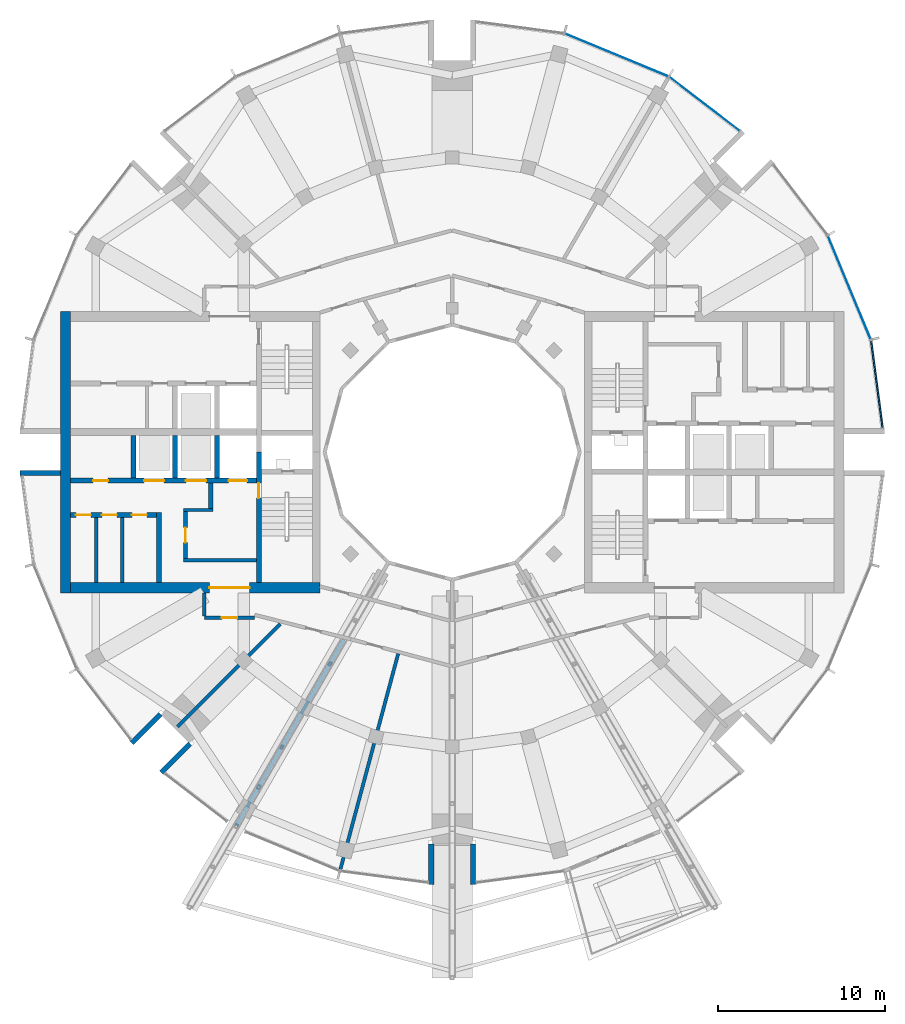
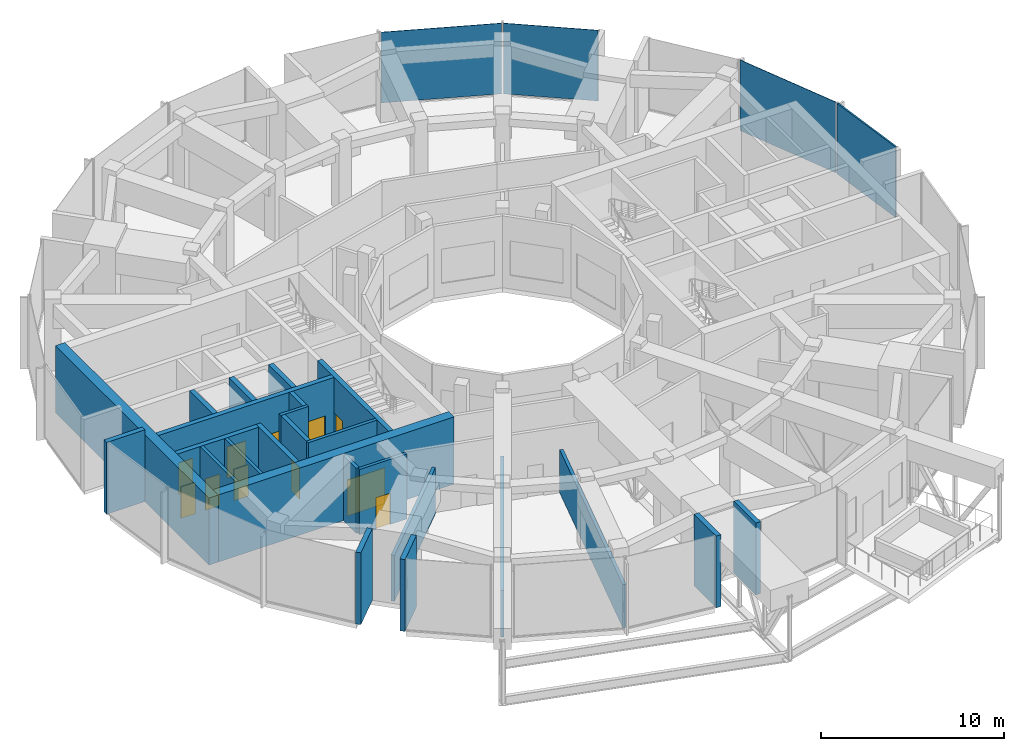
# One storey, part 10 of 17: 25 walls, 11 doors, 4 plates, 11 openings, 4 elements without a shape of their own.
"""IFC4 building model written with IfcOpenShell, lengths in metres."""

from ifc_helpers import new_model, si_unit, direction, frame, frame_2d, origin, origin_2d, place, context, subcontext, project, spatial, rectangle, extrude, material, layer, layer_set, type_object, element, fill, aggregate, save


model = new_model("IFC4")

# Units and contexts
model_context = context("Model", 3, precision=1e-05, world=origin(), true_north=direction((0.0, 1.0)))
body_context = subcontext(model_context, "Body", "Model", "MODEL_VIEW")
ifc_project = project(units=[si_unit("LENGTHUNIT", "METRE"), si_unit("AREAUNIT", "SQUARE_METRE"), si_unit("VOLUMEUNIT", "CUBIC_METRE"), si_unit("PLANEANGLEUNIT", "RADIAN"), si_unit("MASSUNIT", "GRAM", prefix="KILO")], contexts=[model_context])

# Site, building, storey
site_placement = place(None, origin())
site = spatial("IfcSite", under=ifc_project, at=site_placement, CompositionType="ELEMENT")
building_placement = place(site_placement, origin())
building = spatial("IfcBuilding", under=site, at=building_placement, Name="Torre Brocal", CompositionType="ELEMENT")
storey_placement = place(building_placement, frame((0.0, 0.0, 270.89990234375)))
storey = spatial("IfcBuildingStorey", under=building, at=storey_placement, Name="L62", CompositionType="ELEMENT", Elevation=270.89990234375)

# Curtain wall, plate
ifc_material_1 = material(Name="Aluminium and glass", Category="aluminium")
ifc_layer_1 = layer(ifc_material_1, 0.199951171875)
ifc_layer_set_1 = layer_set([ifc_layer_1], Name="Aluminium and glass")
curtain_wall_type_1 = type_object("IfcCurtainWallType", Name="CW-1 CURTAIN WALL 4800 HIGH", PredefinedType="NOTDEFINED", material=ifc_layer_set_1)
curtain_wall_1_placement = place(storey_placement, origin())
curtain_wall_1 = element("IfcCurtainWall", 1, at=curtain_wall_1_placement, inside=storey, type_object=curtain_wall_type_1, Name="CW-1 RUN 2", PredefinedType="NOTDEFINED")
ifc_material_2 = material(Name="Glass, dark tinted laminated", Category="glass")
ifc_layer_2 = layer(ifc_material_2, 0.031982421875)
ifc_layer_set_2 = layer_set([ifc_layer_2], Name="Glass, dark tinted laminated")
plate_type_1 = type_object("IfcPlateType", Name="CW-1 GLASS PANEL 32", PredefinedType="CURTAIN_PANEL", material=ifc_layer_set_2)
plate_1_placement = place(storey_placement, frame((103.722900390625, 84.826416015625, 0.080078125), z_axis=(0.0, 0.0, 1.0), x_axis=(-0.382683432333, 0.923879532525, 0.0)))
plate_1 = element("IfcPlate", 2, at=plate_1_placement, type_object=plate_type_1, Name="CW1-7 panel 1.1", PredefinedType="CURTAIN_PANEL", context=body_context, shape_type="SweptSolid", body=[
    extrude(rectangle(XDim=6.64111328125, YDim=0.031982421875, at=origin_2d()), origin(), (0.0, 0.0, 1.0), 4.719970703125),
])
aggregate(curtain_wall_1, [plate_1])

curtain_wall_2_placement = place(storey_placement, origin())
curtain_wall_2 = element("IfcCurtainWall", 3, at=curtain_wall_2_placement, inside=storey, type_object=curtain_wall_type_1, Name="CW-1 RUN 4", PredefinedType="NOTDEFINED")
plate_2_placement = place(storey_placement, frame((95.0712890625, 95.80126953125, 0.080078125), z_axis=(0.0, 0.0, 1.0), x_axis=(-0.793353340259, 0.60876142905, 0.0)))
plate_2 = element("IfcPlate", 4, at=plate_2_placement, type_object=plate_type_1, Name="CW1-7 panel 1.1", PredefinedType="CURTAIN_PANEL", context=body_context, shape_type="SweptSolid", body=[
    extrude(rectangle(XDim=5.22900390625, YDim=0.031982421875, at=origin_2d()), origin(), (0.0, 0.0, 1.0), 4.719970703125),
])
aggregate(curtain_wall_2, [plate_2])

curtain_wall_3_placement = place(storey_placement, origin())
curtain_wall_3 = element("IfcCurtainWall", 5, at=curtain_wall_3_placement, inside=storey, type_object=curtain_wall_type_1, Name="CW-1 RUN 5", PredefinedType="NOTDEFINED")
plate_3_placement = place(storey_placement, frame((89.826416015625, 98.722900390625, 0.080078125), z_axis=(0.0, 0.0, 1.0), x_axis=(-0.923879532525, 0.382683432333, 0.0)))
plate_3 = element("IfcPlate", 6, at=plate_3_placement, type_object=plate_type_1, Name="CW1-7 panel 1.1", PredefinedType="CURTAIN_PANEL", context=body_context, shape_type="SweptSolid", body=[
    extrude(rectangle(XDim=6.64111328125, YDim=0.031982421875, at=origin_2d()), origin(), (0.0, 0.0, 1.0), 4.719970703125),
])
aggregate(curtain_wall_3, [plate_3])

ifc_material_3 = material(Name="Aluminium and glass", Category="aluminium")
ifc_layer_3 = layer(ifc_material_3, 0.199951171875)
ifc_layer_set_3 = layer_set([ifc_layer_3], Name="Aluminium and glass")
curtain_wall_type_2 = type_object("IfcCurtainWallType", Name="CW-1B CURTAIN WALL 4800 HIGH", PredefinedType="NOTDEFINED", material=ifc_layer_set_3)
curtain_wall_4_placement = place(storey_placement, origin())
curtain_wall_4 = element("IfcCurtainWall", 7, at=curtain_wall_4_placement, inside=storey, type_object=curtain_wall_type_2, Name="CW-1B RUN 1", PredefinedType="NOTDEFINED")
ifc_material_4 = material(Name="Aluminium composite panel", Category="aluminium")
ifc_layer_4 = layer(ifc_material_4, 0.10009765625)
ifc_layer_set_4 = layer_set([ifc_layer_4], Name="Aluminium composite panel")
plate_type_2 = type_object("IfcPlateType", Name="CW-1B OPAQUE PANEL 100", PredefinedType="CURTAIN_PANEL", material=ifc_layer_set_4)
plate_4_placement = place(storey_placement, frame((105.36572265625, 79.051513671875, 0.080078125), z_axis=(0.0, 0.0, 1.0), x_axis=(-0.13052619222, 0.991444861374, 0.0)))
plate_4 = element("IfcPlate", 8, at=plate_4_placement, type_object=plate_type_2, Name="CW1B-6 panel 1.1", PredefinedType="CURTAIN_PANEL", context=body_context, shape_type="SweptSolid", body=[
    extrude(rectangle(XDim=5.22900390625, YDim=0.10009765625, at=origin_2d()), origin(), (0.0, 0.0, 1.0), 4.719970703125),
])
aggregate(curtain_wall_4, [plate_4])

# Walls
ifc_material_5 = material(Name="Masonry block", Category="masonry")
ifc_layer_5 = layer(ifc_material_5, 0.199951171875)
ifc_layer_set_5 = layer_set([ifc_layer_5], Name="Masonry block")
wall_type_1 = type_object("IfcWallType", Name="CORE PARTITION 200", PredefinedType="PARTITIONING", material=ifc_layer_set_5)
for number, where, z_axis, x_axis, name in (
    (9, (60.2900390625, 71.10009765625, 0.0), (0.0, 0.0, 1.0), (0.0, -1.0, 0.0), "Wall CP200"),
    (10, (58.7451171875, 71.10009765625, 0.0), (0.0, 0.0, 1.0), (0.0, -1.0, 0.0), "Wall CP200"),
):
    element("IfcWall", number, at=place(storey_placement, frame(where, z_axis=z_axis, x_axis=x_axis)), inside=storey, type_object=wall_type_1, Name=name, PredefinedType="PARTITIONING", context=body_context, shape_type="SweptSolid", body=[
        extrude(rectangle(XDim=3.900146484375, YDim=0.199951171875, at=frame_2d((1.9501953125, 0.0))), origin(), (0.0, 0.0, 1.0), 4.47998046875),
    ])
ifc_material_6 = material(Name="Concrete C60", Category="concrete")
ifc_layer_6 = layer(ifc_material_6, 0.199951171875)
ifc_layer_set_6 = layer_set([ifc_layer_6], Name="Concrete C60")
wall_type_2 = type_object("IfcWallType", Name="CORE WALL 200 C60", PredefinedType="SHEAR", material=ifc_layer_set_6)
wall_1_placement = place(storey_placement, frame((68.300048828125, 68.550048828125, 0.0), z_axis=(0.0, 0.0, 1.0), x_axis=(-1.0, 0.0, 0.0)))
element("IfcWall", 11, at=wall_1_placement, inside=storey, type_object=wall_type_2, Name="Wall CW200-60", PredefinedType="SHEAR", context=body_context, shape_type="SweptSolid", body=[
    extrude(rectangle(XDim=4.35009765625, YDim=0.199951171875, at=frame_2d((2.175048828125, 0.0))), origin(), (0.0, 0.0, 1.0), 4.47998046875),
])
wall_2_placement = place(storey_placement, frame((65.699951171875, 71.550048828125, 0.0), z_axis=(0.0, 0.0, 1.0), x_axis=(-1.0, 0.0, 0.0)))
element("IfcWall", 12, at=wall_2_placement, inside=storey, type_object=wall_type_2, Name="Wall CW200-60", PredefinedType="SHEAR", context=body_context, shape_type="SweptSolid", body=[
    extrude(rectangle(XDim=1.75, YDim=0.199951171875, at=frame_2d((0.875, 0.0))), origin(), (0.0, 0.0, 1.0), 4.47998046875),
])

# Wall, opening, door
ifc_material_7 = material(Name="Concrete C60", Category="concrete")
ifc_layer_7 = layer(ifc_material_7, 0.25)
ifc_layer_set_7 = layer_set([ifc_layer_7], Name="Concrete C60")
wall_type_3 = type_object("IfcWallType", Name="CORE WALL 250 C60", PredefinedType="SHEAR", material=ifc_layer_set_7)
wall_3_placement = place(storey_placement, frame((64.074951171875, 71.449951171875, 0.0), z_axis=(0.0, 0.0, 1.0), x_axis=(0.0, -1.0, 0.0)))
wall_3 = element("IfcWall", 13, at=wall_3_placement, inside=storey, type_object=wall_type_3, Name="Wall CW250-60", PredefinedType="SHEAR", context=body_context, shape_type="SweptSolid", body=[
    extrude(rectangle(XDim=2.800048828125, YDim=0.25, at=frame_2d((1.39990234375, 0.0))), origin(), (0.0, 0.0, 1.0), 4.47998046875),
])
opening_1_placement = place(wall_3_placement, frame((0.949951171875, 0.0, 0.0)))
opening_1 = element("IfcOpeningElement", 14, at=opening_1_placement, cuts=wall_3, Name="Opening W-D26", PredefinedType="OPENING", context=body_context, shape_type="SweptSolid", body=[
    extrude(rectangle(XDim=0.89990234375, YDim=2.10009765625, at=frame_2d((0.449951171875, 1.050048828125))), frame((0.0, 0.135009765625, 0.0), z_axis=(0.0, -1.0, 0.0), x_axis=(1.0, 0.0, 0.0)), (0.0, 0.0, 1.0), 0.27001953125),
])
ifc_material_8 = material(Name="Steel A653", Category="steel")
door_type_1 = type_object("IfcDoorType", Name="LOBBY DOOR FD120 900X2100", OperationType="SINGLE_SWING_RIGHT", PredefinedType="DOOR", material=ifc_material_8)
door_1_placement = place(opening_1_placement, origin())
door_1 = element("IfcDoor", 15, at=door_1_placement, inside=storey, type_object=door_type_1, Name="Door W-D26", OperationType="SINGLE_SWING_LEFT", OverallHeight=2.10009765625, OverallWidth=0.89990234375, PredefinedType="DOOR", context=body_context, shape_type="SweptSolid", body=[
    extrude(rectangle(XDim=0.89990234375, YDim=2.10009765625, at=frame_2d((0.449951171875, 1.050048828125))), frame((0.0, 0.02490234375, 0.0), z_axis=(0.0, -1.0, 0.0), x_axis=(1.0, 0.0, 0.0)), (0.0, 0.0, 1.0), 0.050048828125),
])
fill(opening_1, door_1)

# Wall
wall_4_placement = place(storey_placement, frame((65.574951171875, 73.14990234375, 0.0), z_axis=(0.0, 0.0, 1.0), x_axis=(0.0, -1.0, 0.0)))
element("IfcWall", 16, at=wall_4_placement, inside=storey, type_object=wall_type_3, Name="Wall CW250-60", PredefinedType="SHEAR", context=body_context, shape_type="SweptSolid", body=[
    extrude(rectangle(XDim=1.5, YDim=0.25, at=frame_2d((0.75, 0.0))), origin(), (0.0, 0.0, 1.0), 4.47998046875),
])

# Wall, opening, door
ifc_material_9 = material(Name="Concrete C60", Category="concrete")
ifc_layer_8 = layer(ifc_material_9, 0.300048828125)
ifc_layer_set_8 = layer_set([ifc_layer_8], Name="Concrete C60")
wall_type_4 = type_object("IfcWallType", Name="CORE WALL 300 C60", PredefinedType="SHEAR", material=ifc_layer_set_8)
wall_5_placement = place(storey_placement, frame((68.449951171875, 75.0, 0.0), z_axis=(0.0, 0.0, 1.0), x_axis=(0.0, -1.0, 0.0)))
wall_5 = element("IfcWall", 17, at=wall_5_placement, inside=storey, type_object=wall_type_4, Name="Wall CW300-60", PredefinedType="SHEAR", context=body_context, shape_type="SweptSolid", body=[
    extrude(rectangle(XDim=7.800048828125, YDim=0.300048828125, at=frame_2d((3.89990234375, 0.0))), origin(), (0.0, 0.0, 1.0), 4.47998046875),
])
opening_2_placement = place(wall_5_placement, frame((1.85009765625, 0.0, 0.0)))
opening_2 = element("IfcOpeningElement", 18, at=opening_2_placement, cuts=wall_5, Name="Opening W-D02", PredefinedType="OPENING", context=body_context, shape_type="SweptSolid", body=[
    extrude(rectangle(XDim=0.89990234375, YDim=2.10009765625, at=frame_2d((0.449951171875, 1.050048828125))), frame((0.0, 0.159912109375, 0.0), z_axis=(0.0, -1.0, 0.0), x_axis=(1.0, 0.0, 0.0)), (0.0, 0.0, 1.0), 0.320068359375),
])
ifc_material_10 = material(Name="Steel A653", Category="steel")
door_type_2 = type_object("IfcDoorType", Name="STAIR DOOR FD120 900X2100", OperationType="SINGLE_SWING_RIGHT", PredefinedType="DOOR", material=ifc_material_10)
door_2_placement = place(opening_2_placement, origin())
door_2 = element("IfcDoor", 19, at=door_2_placement, inside=storey, type_object=door_type_2, Name="Door W-D02", OperationType="SINGLE_SWING_LEFT", OverallHeight=2.10009765625, OverallWidth=0.89990234375, PredefinedType="DOOR", context=body_context, shape_type="SweptSolid", body=[
    extrude(rectangle(XDim=0.89990234375, YDim=2.10009765625, at=frame_2d((0.449951171875, 1.050048828125))), frame((0.0, 0.02490234375, 0.0), z_axis=(0.0, -1.0, 0.0), x_axis=(1.0, 0.0, 0.0)), (0.0, 0.0, 1.0), 0.050048828125),
])
fill(opening_2, door_2)

# Wall, openings, doors
wall_6_placement = place(storey_placement, frame((68.300048828125, 73.300048828125, 0.0), z_axis=(0.0, 0.0, 1.0), x_axis=(-1.0, 0.0, 0.0)))
wall_6 = element("IfcWall", 20, at=wall_6_placement, inside=storey, type_object=wall_type_4, Name="Wall CW300-60", PredefinedType="SHEAR", context=body_context, shape_type="SweptSolid", body=[
    extrude(rectangle(XDim=11.10009765625, YDim=0.300048828125, at=frame_2d((5.550048828125, 0.0))), origin(), (0.0, 0.0, 1.0), 4.47998046875),
])
opening_3_placement = place(wall_6_placement, frame((0.550048828125, 0.0, 0.0)))
opening_3 = element("IfcOpeningElement", 21, at=opening_3_placement, cuts=wall_6, Name="Opening LD", PredefinedType="OPENING", context=body_context, shape_type="SweptSolid", body=[
    extrude(rectangle(XDim=1.10009765625, YDim=2.10009765625, at=frame_2d((0.550048828125, 1.050048828125))), frame((0.0, 0.159912109375, 0.0), z_axis=(0.0, -1.0, 0.0), x_axis=(1.0, 0.0, 0.0)), (0.0, 0.0, 1.0), 0.320068359375),
])
opening_4_placement = place(wall_6_placement, frame((3.0, 0.0, 0.0)))
opening_4 = element("IfcOpeningElement", 22, at=opening_4_placement, cuts=wall_6, Name="Opening LD12", PredefinedType="OPENING", context=body_context, shape_type="SweptSolid", body=[
    extrude(rectangle(XDim=1.199951171875, YDim=2.10009765625, at=frame_2d((0.60009765625, 1.050048828125))), frame((0.0, 0.159912109375, 0.0), z_axis=(0.0, -1.0, 0.0), x_axis=(1.0, 0.0, 0.0)), (0.0, 0.0, 1.0), 0.320068359375),
])
opening_5_placement = place(wall_6_placement, frame((5.5, 0.0, 0.0)))
opening_5 = element("IfcOpeningElement", 23, at=opening_5_placement, cuts=wall_6, Name="Opening LD12", PredefinedType="OPENING", context=body_context, shape_type="SweptSolid", body=[
    extrude(rectangle(XDim=1.199951171875, YDim=2.10009765625, at=frame_2d((0.60009765625, 1.050048828125))), frame((0.0, 0.159912109375, 0.0), z_axis=(0.0, -1.0, 0.0), x_axis=(1.0, 0.0, 0.0)), (0.0, 0.0, 1.0), 0.320068359375),
])
opening_6_placement = place(wall_6_placement, frame((8.85009765625, 0.0, 0.0)))
opening_6 = element("IfcOpeningElement", 24, at=opening_6_placement, cuts=wall_6, Name="Opening W-D04", PredefinedType="OPENING", context=body_context, shape_type="SweptSolid", body=[
    extrude(rectangle(XDim=0.89990234375, YDim=2.10009765625, at=frame_2d((0.449951171875, 1.050048828125))), frame((0.0, 0.159912109375, 0.0), z_axis=(0.0, -1.0, 0.0), x_axis=(1.0, 0.0, 0.0)), (0.0, 0.0, 1.0), 0.320068359375),
])
ifc_material_11 = material(Name="Stainless steel AISI 316", Category="steel")
door_type_3 = type_object("IfcDoorType", Name="LIFT LANDING DOOR 1100X2100", OperationType="DOUBLE_DOOR_SLIDING", PredefinedType="DOOR", material=ifc_material_11)
door_3_placement = place(opening_3_placement, origin())
door_3 = element("IfcDoor", 25, at=door_3_placement, inside=storey, type_object=door_type_3, Name="Door LD", OperationType="DOUBLE_DOOR_SLIDING", OverallHeight=2.10009765625, OverallWidth=1.10009765625, PredefinedType="DOOR", context=body_context, shape_type="SweptSolid", body=[
    extrude(rectangle(XDim=1.10009765625, YDim=2.10009765625, at=frame_2d((0.550048828125, 1.050048828125))), frame((0.0, 0.02490234375, 0.0), z_axis=(0.0, -1.0, 0.0), x_axis=(1.0, 0.0, 0.0)), (0.0, 0.0, 1.0), 0.050048828125),
])
fill(opening_3, door_3)
ifc_material_12 = material(Name="Stainless steel AISI 316", Category="steel")
door_type_4 = type_object("IfcDoorType", Name="LIFT LANDING DOOR 1200X2100", OperationType="DOUBLE_DOOR_SLIDING", PredefinedType="DOOR", material=ifc_material_12)
door_4_placement = place(opening_4_placement, origin())
door_4 = element("IfcDoor", 26, at=door_4_placement, inside=storey, type_object=door_type_4, Name="Door LD12", OperationType="DOUBLE_DOOR_SLIDING", OverallHeight=2.10009765625, OverallWidth=1.199951171875, PredefinedType="DOOR", context=body_context, shape_type="SweptSolid", body=[
    extrude(rectangle(XDim=1.199951171875, YDim=2.10009765625, at=frame_2d((0.60009765625, 1.050048828125))), frame((0.0, 0.02490234375, 0.0), z_axis=(0.0, -1.0, 0.0), x_axis=(1.0, 0.0, 0.0)), (0.0, 0.0, 1.0), 0.050048828125),
])
fill(opening_4, door_4)
door_5_placement = place(opening_5_placement, origin())
door_5 = element("IfcDoor", 27, at=door_5_placement, inside=storey, type_object=door_type_4, Name="Door LD12", OperationType="DOUBLE_DOOR_SLIDING", OverallHeight=2.10009765625, OverallWidth=1.199951171875, PredefinedType="DOOR", context=body_context, shape_type="SweptSolid", body=[
    extrude(rectangle(XDim=1.199951171875, YDim=2.10009765625, at=frame_2d((0.60009765625, 1.050048828125))), frame((0.0, 0.02490234375, 0.0), z_axis=(0.0, -1.0, 0.0), x_axis=(1.0, 0.0, 0.0)), (0.0, 0.0, 1.0), 0.050048828125),
])
fill(opening_5, door_5)
ifc_material_13 = material(Name="Steel A653", Category="steel")
door_type_5 = type_object("IfcDoorType", Name="ROOM DOOR FD30S 900X2100", OperationType="SINGLE_SWING_LEFT", PredefinedType="DOOR", material=ifc_material_13)
door_6_placement = place(opening_6_placement, frame((0.89990234375, 0.0, 0.0), z_axis=(0.0, 0.0, 1.0), x_axis=(-1.0, 0.0, 0.0)))
door_6 = element("IfcDoor", 28, at=door_6_placement, inside=storey, type_object=door_type_5, Name="Door W-D04", OperationType="SINGLE_SWING_LEFT", OverallHeight=2.10009765625, OverallWidth=0.89990234375, PredefinedType="DOOR", context=body_context, shape_type="SweptSolid", body=[
    extrude(rectangle(XDim=0.89990234375, YDim=2.10009765625, at=frame_2d((0.449951171875, 1.050048828125))), frame((0.0, 0.02490234375, 0.0), z_axis=(0.0, -1.0, 0.0), x_axis=(1.0, 0.0, 0.0)), (0.0, 0.0, 1.0), 0.050048828125),
])
fill(opening_6, door_6)

# Walls
for number, where, z_axis, x_axis, name in (
    (29, (65.949951171875, 76.0, 0.0), (0.0, 0.0, 1.0), (0.0, -1.0, 0.0), "Wall CW300-60"),
    (30, (63.449951171875, 76.0, 0.0), (0.0, 0.0, 1.0), (0.0, -1.0, 0.0), "Wall CW300-60"),
    (31, (60.949951171875, 76.0, 0.0), (0.0, 0.0, 1.0), (0.0, -1.0, 0.0), "Wall CW300-60"),
):
    element("IfcWall", number, at=place(storey_placement, frame(where, z_axis=z_axis, x_axis=x_axis)), inside=storey, type_object=wall_type_4, Name=name, PredefinedType="SHEAR", context=body_context, shape_type="SweptSolid", body=[
        extrude(rectangle(XDim=2.550048828125, YDim=0.300048828125, at=frame_2d((1.27490234375, 0.0))), origin(), (0.0, 0.0, 1.0), 4.47998046875),
    ])
wall_7_placement = place(storey_placement, frame((62.5, 71.39990234375, 0.0), z_axis=(0.0, 0.0, 1.0), x_axis=(0.0, -1.0, 0.0)))
element("IfcWall", 32, at=wall_7_placement, inside=storey, type_object=wall_type_4, Name="Wall CW300-60", PredefinedType="SHEAR", context=body_context, shape_type="SweptSolid", body=[
    extrude(rectangle(XDim=4.199951171875, YDim=0.300048828125, at=frame_2d((2.10009765625, 0.0))), origin(), (0.0, 0.0, 1.0), 4.47998046875),
])

# Wall, openings, doors
wall_8_placement = place(storey_placement, frame((62.35009765625, 71.25, 0.0), z_axis=(0.0, 0.0, 1.0), x_axis=(-1.0, 0.0, 0.0)))
wall_8 = element("IfcWall", 33, at=wall_8_placement, inside=storey, type_object=wall_type_4, Name="Wall CW300-60", PredefinedType="SHEAR", context=body_context, shape_type="SweptSolid", body=[
    extrude(rectangle(XDim=5.150146484375, YDim=0.300048828125, at=frame_2d((2.5751953125, 0.0))), origin(), (0.0, 0.0, 1.0), 4.47998046875),
])
opening_7_placement = place(wall_8_placement, frame((0.580078125, 0.0, 0.0)))
opening_7 = element("IfcOpeningElement", 34, at=opening_7_placement, cuts=wall_8, Name="Opening W-D28", PredefinedType="OPENING", context=body_context, shape_type="SweptSolid", body=[
    extrude(rectangle(XDim=0.89990234375, YDim=2.10009765625, at=frame_2d((0.449951171875, 1.050048828125))), frame((0.0, 0.159912109375, 0.0), z_axis=(0.0, -1.0, 0.0), x_axis=(1.0, 0.0, 0.0)), (0.0, 0.0, 1.0), 0.320068359375),
])
opening_8_placement = place(wall_8_placement, frame((2.382568359375, 0.0, 0.0)))
opening_8 = element("IfcOpeningElement", 35, at=opening_8_placement, cuts=wall_8, Name="Opening W-D09", PredefinedType="OPENING", context=body_context, shape_type="SweptSolid", body=[
    extrude(rectangle(XDim=0.89990234375, YDim=2.10009765625, at=frame_2d((0.449951171875, 1.050048828125))), frame((0.0, 0.159912109375, 0.0), z_axis=(0.0, -1.0, 0.0), x_axis=(1.0, 0.0, 0.0)), (0.0, 0.0, 1.0), 0.320068359375),
])
opening_9_placement = place(wall_8_placement, frame((3.927490234375, 0.0, 0.0)))
opening_9 = element("IfcOpeningElement", 36, at=opening_9_placement, cuts=wall_8, Name="Opening W-D10", PredefinedType="OPENING", context=body_context, shape_type="SweptSolid", body=[
    extrude(rectangle(XDim=0.89990234375, YDim=2.10009765625, at=frame_2d((0.449951171875, 1.050048828125))), frame((0.0, 0.159912109375, 0.0), z_axis=(0.0, -1.0, 0.0), x_axis=(1.0, 0.0, 0.0)), (0.0, 0.0, 1.0), 0.320068359375),
])
door_7_placement = place(opening_7_placement, origin())
door_7 = element("IfcDoor", 37, at=door_7_placement, inside=storey, type_object=door_type_5, Name="Door W-D28", OperationType="SINGLE_SWING_RIGHT", OverallHeight=2.10009765625, OverallWidth=0.89990234375, PredefinedType="DOOR", context=body_context, shape_type="SweptSolid", body=[
    extrude(rectangle(XDim=0.89990234375, YDim=2.10009765625, at=frame_2d((0.449951171875, 1.050048828125))), frame((0.0, 0.02490234375, 0.0), z_axis=(0.0, -1.0, 0.0), x_axis=(1.0, 0.0, 0.0)), (0.0, 0.0, 1.0), 0.050048828125),
])
fill(opening_7, door_7)
door_8_placement = place(opening_8_placement, origin())
door_8 = element("IfcDoor", 38, at=door_8_placement, inside=storey, type_object=door_type_5, Name="Door W-D09", OperationType="SINGLE_SWING_LEFT", OverallHeight=2.10009765625, OverallWidth=0.89990234375, PredefinedType="DOOR", context=body_context, shape_type="SweptSolid", body=[
    extrude(rectangle(XDim=0.89990234375, YDim=2.10009765625, at=frame_2d((0.449951171875, 1.050048828125))), frame((0.0, 0.02490234375, 0.0), z_axis=(0.0, -1.0, 0.0), x_axis=(1.0, 0.0, 0.0)), (0.0, 0.0, 1.0), 0.050048828125),
])
fill(opening_8, door_8)
door_9_placement = place(opening_9_placement, origin())
door_9 = element("IfcDoor", 39, at=door_9_placement, inside=storey, type_object=door_type_5, Name="Door W-D10", OperationType="SINGLE_SWING_LEFT", OverallHeight=2.10009765625, OverallWidth=0.89990234375, PredefinedType="DOOR", context=body_context, shape_type="SweptSolid", body=[
    extrude(rectangle(XDim=0.89990234375, YDim=2.10009765625, at=frame_2d((0.449951171875, 1.050048828125))), frame((0.0, 0.02490234375, 0.0), z_axis=(0.0, -1.0, 0.0), x_axis=(1.0, 0.0, 0.0)), (0.0, 0.0, 1.0), 0.050048828125),
])
fill(opening_9, door_9)

# Wall, opening, door
ifc_material_14 = material(Name="Concrete C60", Category="concrete")
ifc_layer_9 = layer(ifc_material_14, 0.60009765625)
ifc_layer_set_9 = layer_set([ifc_layer_9], Name="Concrete C60")
wall_type_5 = type_object("IfcWallType", Name="CORE WALL 600 C60", PredefinedType="SHEAR", material=ifc_layer_set_9)
wall_9_placement = place(storey_placement, frame((72.10009765625, 66.89990234375, 0.0), z_axis=(0.0, 0.0, 1.0), x_axis=(-1.0, 0.0, 0.0)))
wall_9 = element("IfcWall", 40, at=wall_9_placement, inside=storey, type_object=wall_type_5, Name="Wall CW600-60", PredefinedType="SHEAR", context=body_context, shape_type="SweptSolid", body=[
    extrude(rectangle(XDim=14.900146484375, YDim=0.60009765625, at=frame_2d((7.4501953125, 0.0))), origin(), (0.0, 0.0, 1.0), 4.47998046875),
])
opening_10_placement = place(wall_9_placement, frame((4.199951171875, 0.0, 0.0)))
opening_10 = element("IfcOpeningElement", 41, at=opening_10_placement, cuts=wall_9, Name="Opening W-D34", PredefinedType="OPENING", context=body_context, shape_type="SweptSolid", body=[
    extrude(rectangle(XDim=2.39990234375, YDim=2.39990234375, at=frame_2d((1.199951171875, 1.199951171875))), frame((0.0, 0.31005859375, 0.0), z_axis=(0.0, -1.0, 0.0), x_axis=(1.0, 0.0, 0.0)), (0.0, 0.0, 1.0), 0.6201171875),
])
ifc_material_15 = material(Name="Steel A653", Category="steel")
door_type_6 = type_object("IfcDoorType", Name="DOUBLE FIRE DOOR FD90 2400X2400", OperationType="DOUBLE_DOOR_SINGLE_SWING", PredefinedType="DOOR", material=ifc_material_15)
door_10_placement = place(opening_10_placement, frame((2.39990234375, 0.0, 0.0), z_axis=(0.0, 0.0, 1.0), x_axis=(-1.0, 0.0, 0.0)))
door_10 = element("IfcDoor", 42, at=door_10_placement, inside=storey, type_object=door_type_6, Name="Door W-D34", OperationType="DOUBLE_DOOR_SINGLE_SWING", OverallHeight=2.39990234375, OverallWidth=2.39990234375, PredefinedType="DOOR", context=body_context, shape_type="SweptSolid", body=[
    extrude(rectangle(XDim=2.39990234375, YDim=2.39990234375, at=frame_2d((1.199951171875, 1.199951171875))), frame((0.0, 0.02490234375, 0.0), z_axis=(0.0, -1.0, 0.0), x_axis=(1.0, 0.0, 0.0)), (0.0, 0.0, 1.0), 0.050048828125),
])
fill(opening_10, door_10)

# Walls
wall_10_placement = place(storey_placement, frame((56.89990234375, 83.39990234375, 0.0), z_axis=(0.0, 0.0, 1.0), x_axis=(0.0, -1.0, 0.0)))
element("IfcWall", 43, at=wall_10_placement, inside=storey, type_object=wall_type_5, Name="Wall CW600-60", PredefinedType="SHEAR", context=body_context, shape_type="SweptSolid", body=[
    extrude(rectangle(XDim=16.7998046875, YDim=0.60009765625, at=frame_2d((8.39990234375, 0.0))), origin(), (0.0, 0.0, 1.0), 4.47998046875),
])
ifc_material_16 = material(Name="Concrete C60", Category="concrete")
ifc_layer_10 = layer(ifc_material_16, 0.300048828125)
ifc_layer_set_10 = layer_set([ifc_layer_10], Name="Concrete C60")
wall_type_6 = type_object("IfcWallType", Name="NOTCH RETURN WALL 300 C60", PredefinedType="NOTDEFINED", material=ifc_layer_set_10)
for number, where, z_axis, x_axis, name in (
    (44, (56.60009765625, 73.75, 0.0), (0.0, 0.0, 1.0), (-1.0, 0.0, 0.0), "NOTCH RETURN WALL"),
    (45, (62.56982421875, 59.337646484375, 0.0), (0.0, 0.0, 1.0), (-0.707106781187, -0.707106781187, 0.0), "NOTCH RETURN WALL"),
    (46, (64.337646484375, 57.56982421875, 0.0), (0.0, 0.0, 1.0), (-0.707106781187, -0.707106781187, 0.0), "NOTCH RETURN WALL"),
    (47, (78.75, 51.60009765625, 0.0), (0.0, 0.0, 1.0), (0.0, -1.0, 0.0), "NOTCH RETURN WALL"),
    (48, (81.25, 51.60009765625, 0.0), (0.0, 0.0, 1.0), (0.0, -1.0, 0.0), "NOTCH RETURN WALL"),
):
    element("IfcWall", number, at=place(storey_placement, frame(where, z_axis=z_axis, x_axis=x_axis)), inside=storey, type_object=wall_type_6, Name=name, PredefinedType="NOTDEFINED", context=body_context, shape_type="SweptSolid", body=[
        extrude(rectangle(XDim=2.415771484375, YDim=0.300048828125, at=frame_2d((1.2080078125, 0.0))), origin(), (0.0, 0.0, 1.0), 4.800048828125),
    ])
ifc_material_17 = material(Name="Gypsum board", Category="Gypsum")
ifc_layer_11 = layer(ifc_material_17, 0.199951171875)
ifc_layer_set_11 = layer_set([ifc_layer_11], Name="Gypsum board")
wall_type_7 = type_object("IfcWallType", Name="PARTITION 200 EI60", PredefinedType="PARTITIONING", material=ifc_layer_set_11)
wall_11_placement = place(storey_placement, frame((65.199951171875, 65.199951171875, 0.0), z_axis=(0.0, 0.0, 1.0), x_axis=(0.0, 1.0, 0.0)))
element("IfcWall", 49, at=wall_11_placement, inside=storey, type_object=wall_type_7, Name="CORRIDOR WALL", PredefinedType="PARTITIONING", context=body_context, shape_type="SweptSolid", body=[
    extrude(rectangle(XDim=1.399169921875, YDim=0.199951171875, at=frame_2d((0.69970703125, 0.0))), origin(), (0.0, 0.0, 1.0), 4.35009765625),
])

# Wall, opening, door
wall_12_placement = place(storey_placement, frame((65.199951171875, 65.10009765625, 0.0), z_axis=(0.0, 0.0, 1.0), x_axis=(1.0, 0.0, 0.0)))
wall_12 = element("IfcWall", 50, at=wall_12_placement, inside=storey, type_object=wall_type_7, Name="CORRIDOR WALL", PredefinedType="PARTITIONING", context=body_context, shape_type="SweptSolid", body=[
    extrude(rectangle(XDim=2.97998046875, YDim=0.199951171875, at=frame_2d((1.489990234375, 0.0))), origin(), (0.0, 0.0, 1.0), 4.35009765625),
])
opening_11_placement = place(wall_12_placement, frame((1.050048828125, 0.0, 0.0)))
opening_11 = element("IfcOpeningElement", 51, at=opening_11_placement, cuts=wall_12, Name="Opening P01-D15", PredefinedType="OPENING", context=body_context, shape_type="SweptSolid", body=[
    extrude(rectangle(XDim=0.89990234375, YDim=2.10009765625, at=frame_2d((0.449951171875, 1.050048828125))), frame((0.0, 0.10986328125, 0.0), z_axis=(0.0, -1.0, 0.0), x_axis=(1.0, 0.0, 0.0)), (0.0, 0.0, 1.0), 0.219970703125),
])
ifc_material_18 = material(Name="Timber", Category="wood")
door_type_7 = type_object("IfcDoorType", Name="ROOM DOOR 900X2100", OperationType="SINGLE_SWING_LEFT", PredefinedType="DOOR", material=ifc_material_18)
door_11_placement = place(opening_11_placement, frame((0.89990234375, 0.0, 0.0), z_axis=(0.0, 0.0, 1.0), x_axis=(-1.0, 0.0, 0.0)))
door_11 = element("IfcDoor", 52, at=door_11_placement, inside=storey, type_object=door_type_7, Name="P01-D15", OperationType="SINGLE_SWING_LEFT", OverallHeight=2.10009765625, OverallWidth=0.89990234375, PredefinedType="DOOR", context=body_context, shape_type="SweptSolid", body=[
    extrude(rectangle(XDim=0.89990234375, YDim=2.10009765625, at=frame_2d((0.449951171875, 1.050048828125))), frame((0.0, 0.02490234375, 0.0), z_axis=(0.0, -1.0, 0.0), x_axis=(1.0, 0.0, 0.0)), (0.0, 0.0, 1.0), 0.050048828125),
])
fill(opening_11, door_11)

# Walls
ifc_material_19 = material(Name="Gypsum board", Category="Gypsum")
ifc_layer_12 = layer(ifc_material_19, 0.199951171875)
ifc_layer_set_12 = layer_set([ifc_layer_12], Name="Gypsum board")
wall_type_8 = type_object("IfcWallType", Name="PARTITION 200 EI60 UNDER BEAM 1720", PredefinedType="PARTITIONING", material=ifc_layer_set_12)
wall_13_placement = place(storey_placement, frame((63.594482421875, 58.5966796875, 0.0), z_axis=(0.0, 0.0, 1.0), x_axis=(0.707162972126, 0.707050585782, 0.0)))
element("IfcWall", 53, at=wall_13_placement, inside=storey, type_object=wall_type_8, Name="PARTY PARTITION", PredefinedType="PARTITIONING", context=body_context, shape_type="SweptSolid", body=[
    extrude(rectangle(XDim=8.689453125, YDim=0.199951171875, at=frame_2d((4.3447265625, 0.0))), origin(), (0.0, 0.0, 1.0), 3.080078125),
])
wall_14_placement = place(storey_placement, frame((67.09716796875, 52.660888671875, 0.0), z_axis=(0.0, 0.0, 1.0), x_axis=(0.500128690501, 0.865951091539, 0.0)))
element("IfcWall", 54, at=wall_14_placement, inside=storey, type_object=wall_type_8, Name="PARTY PARTITION", PredefinedType="PARTITIONING", context=body_context, shape_type="SweptSolid", body=[
    extrude(rectangle(XDim=12.8662109375, YDim=0.199951171875, at=frame_2d((6.43310546875, 0.0))), origin(), (0.0, 0.0, 1.0), 3.080078125),
])
ifc_material_20 = material(Name="Gypsum board", Category="Gypsum")
ifc_layer_13 = layer(ifc_material_20, 0.199951171875)
ifc_layer_set_13 = layer_set([ifc_layer_13], Name="Gypsum board")
wall_type_9 = type_object("IfcWallType", Name="PARTITION 200 EI60 UNDER BEAM 1920", PredefinedType="PARTITIONING", material=ifc_layer_set_13)
wall_15_placement = place(storey_placement, frame((73.322998046875, 50.081787109375, 0.0), z_axis=(0.0, 0.0, 1.0), x_axis=(0.25885533734, 0.965916101083, 0.0)))
element("IfcWall", 55, at=wall_15_placement, inside=storey, type_object=wall_type_9, Name="PARTY PARTITION", PredefinedType="PARTITIONING", context=body_context, shape_type="SweptSolid", body=[
    extrude(rectangle(XDim=13.337158203125, YDim=0.199951171875, at=frame_2d((6.66845703125, 0.0))), origin(), (0.0, 0.0, 1.0), 2.880126953125),
])

save(model, "model.ifc")
